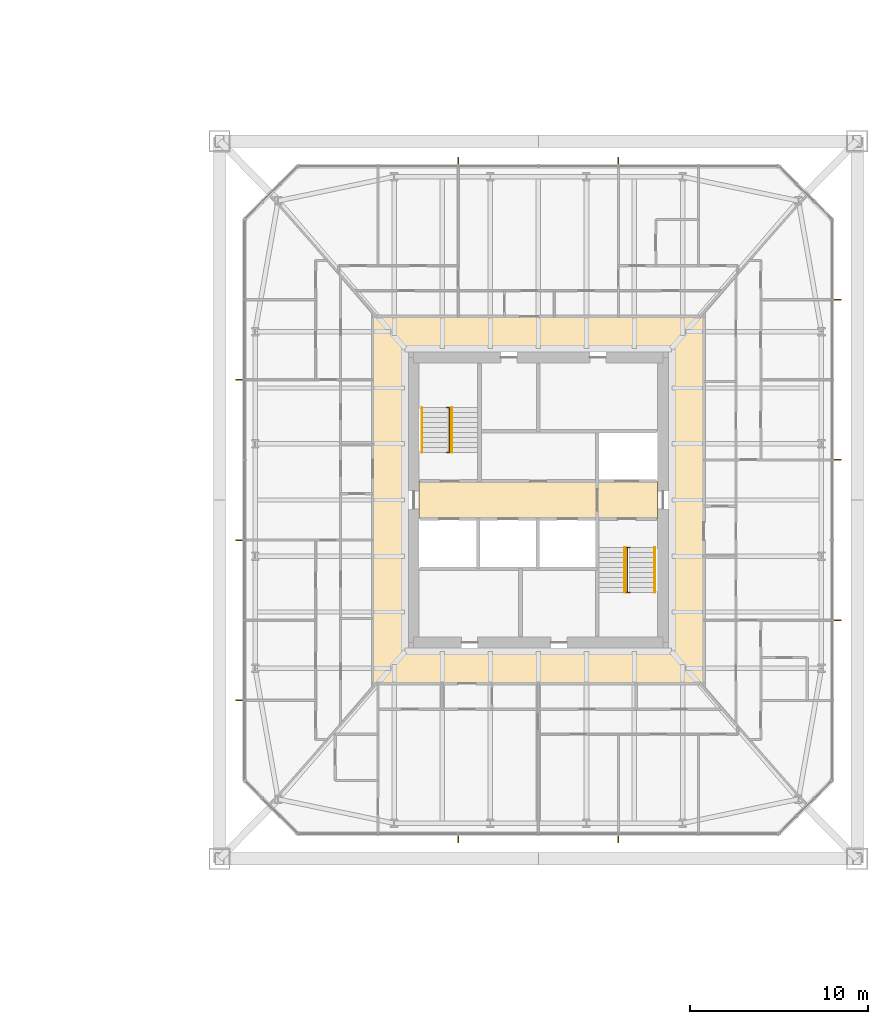
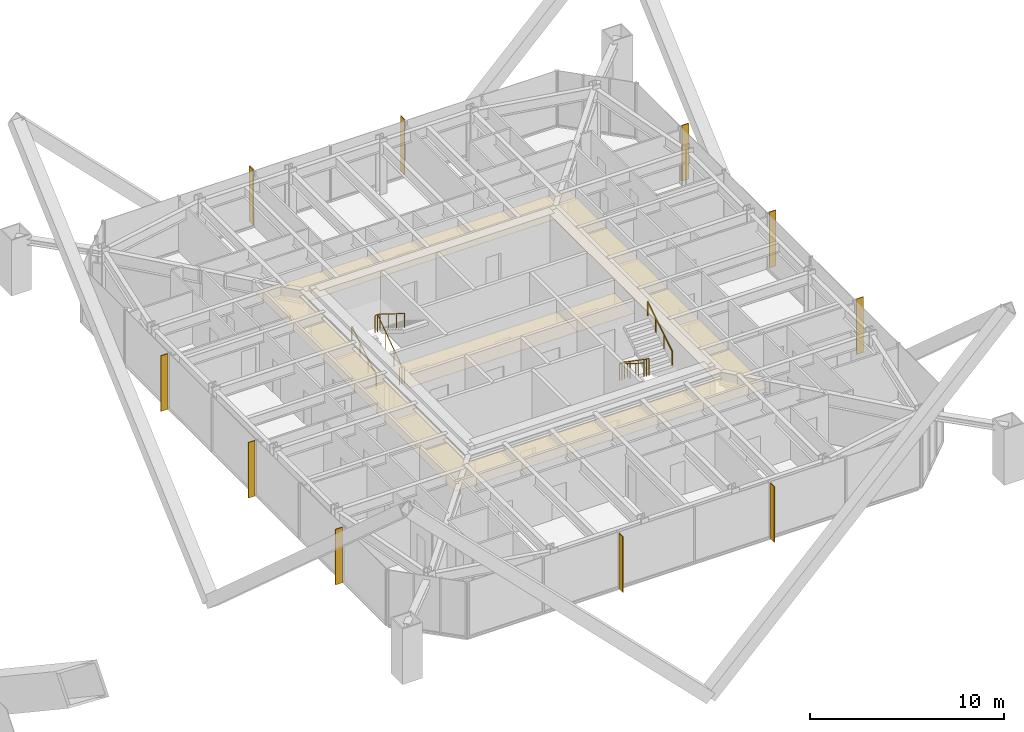
# One storey, part 27 of 27: 10 shading devices, 6 railings, 3 coverings.
"""IFC4 building model written with IfcOpenShell, lengths in metres."""

import ifcopenshell
import ifcopenshell.guid

model = None  # the IFC model being written
_history = None  # IfcOwnerHistory: only IFC2X3 demands one
_inside = {}  # id of a spatial element -> (the spatial element, [elements in it])
_under = {}  # id of a project, library or spatial element -> (it, [spatial elements below it])
_declared = {}  # id of a project -> (the project, [libraries it declares])
_typed = {}  # id of a type object -> (the type object, [elements of that type])
_made_of = {}  # id of a material, layer set ... -> (it, [elements and type objects made of it])


def new_model(schema):
    """Start an empty IFC model of exactly this schema.

    Asked for "IFC4X3", IfcOpenShell would pick the latest addendum, in which some entities
    have other attributes; the version numbers below select the first issue.
    IFC2X3 requires an IfcOwnerHistory on every rooted entity: one is made here for all.
    """
    global model, _history
    if schema == "IFC4X3":
        model = ifcopenshell.file(schema_version=(4, 3, 0, 0))
    else:
        model = ifcopenshell.file(schema=schema)
    _inside.clear()
    _under.clear()
    _declared.clear()
    _typed.clear()
    _made_of.clear()
    _history = None
    if model.schema == "IFC2X3":
        org = make("IfcOrganization", Name="unknown")
        user = make(
            "IfcPersonAndOrganization",
            ThePerson=make("IfcPerson", FamilyName="unknown"),
            TheOrganization=org,
        )
        app = make(
            "IfcApplication",
            ApplicationDeveloper=org,
            Version="unknown",
            ApplicationFullName="unknown",
            ApplicationIdentifier="unknown",
        )
        _history = make(
            "IfcOwnerHistory",
            OwningUser=user,
            OwningApplication=app,
            ChangeAction="ADDED",
            CreationDate=0,
        )
    return model


def make(cls, **values):
    """One entity of the class cls with the attributes given. An attribute that is None is left unset."""
    return model.create_entity(
        cls, **{name: value for name, value in values.items() if value is not None}
    )


def rooted(cls, **values):
    """An entity with a GlobalId (a new one), such as an element, a storey or a relation."""
    return make(cls, GlobalId=ifcopenshell.guid.new(), OwnerHistory=_history, **values)


def si_unit(unit_type, name, prefix=None):
    """IfcSIUnit, for example si_unit("LENGTHUNIT", "METRE", prefix="MILLI")."""
    return make("IfcSIUnit", UnitType=unit_type, Prefix=prefix, Name=name)


def assignment(units):
    """IfcUnitAssignment: the units of a project."""
    return None if units is None else make("IfcUnitAssignment", Units=units)


def point(xyz):
    """IfcCartesianPoint."""
    return None if xyz is None else make("IfcCartesianPoint", Coordinates=xyz)


def direction(xyz):
    """IfcDirection."""
    return None if xyz is None else make("IfcDirection", DirectionRatios=xyz)


def frame(location, z_axis=None, x_axis=None):
    """IfcAxis2Placement3D, a coordinate frame: its origin and axes. An axis left out is left unset."""
    return make(
        "IfcAxis2Placement3D",
        Location=point(location),
        Axis=direction(z_axis),
        RefDirection=direction(x_axis),
    )


def frame_2d(location, x_axis=None):
    """IfcAxis2Placement2D, a coordinate frame in the plane: its origin and x axis."""
    return make(
        "IfcAxis2Placement2D", Location=point(location), RefDirection=direction(x_axis)
    )


def origin():
    """The frame at (0, 0, 0) with its axes left unset."""
    return frame((0.0, 0.0, 0.0))


def origin_2d():
    """The frame at (0, 0) in the plane with its x axis left unset."""
    return frame_2d((0.0, 0.0))


def place(relative_to, where):
    """IfcLocalPlacement: puts the frame where relative to a parent placement (None: the world)."""
    return make(
        "IfcLocalPlacement", PlacementRelTo=relative_to, RelativePlacement=where
    )


def context(
    kind, dimensions, precision=None, world=None, true_north=None, identifier=None
):
    """IfcGeometricRepresentationContext, for example the 3D "Model" context."""
    return make(
        "IfcGeometricRepresentationContext",
        ContextIdentifier=identifier,
        ContextType=kind,
        CoordinateSpaceDimension=dimensions,
        Precision=precision,
        WorldCoordinateSystem=world,
        TrueNorth=true_north,
    )


def subcontext(parent, identifier, kind, view, scale=None):
    """IfcGeometricRepresentationSubContext, for example "Body" below "Model"."""
    return make(
        "IfcGeometricRepresentationSubContext",
        ContextIdentifier=identifier,
        ContextType=kind,
        ParentContext=parent,
        TargetScale=scale,
        TargetView=view,
    )


def project(units=None, contexts=None):
    """IfcProject with its units and contexts."""
    return rooted(
        "IfcProject",
        Name="project",
        RepresentationContexts=contexts,
        UnitsInContext=assignment(units),
    )


def spatial(cls, under=None, at=None, **own):
    """A site, building, storey or space (cls), placed at a placement, below another one or the project."""
    s = rooted(cls, ObjectPlacement=at, **own)
    if under is not None:
        _under.setdefault(under.id(), (under, []))[1].append(s)
    return s


def polyline(points):
    """IfcPolyline through the points."""
    return make("IfcPolyline", Points=[point(p) for p in points])


def profile(cls, at=None, kind="AREA", **sizes):
    """A parametric profile (cls). Its sizes go by their IFC names, for example OverallWidth=200.0."""
    return make(cls, ProfileType=kind, Position=at, **sizes)


def rectangle(**sizes):
    """IfcRectangleProfileDef."""
    return profile("IfcRectangleProfileDef", **sizes)


def circle(**sizes):
    """IfcCircleProfileDef."""
    return profile("IfcCircleProfileDef", **sizes)


def outline(outer, holes=None, kind="AREA"):
    """IfcArbitraryClosedProfileDef: a profile drawn as a closed curve; with holes, ...WithVoids."""
    if holes is None:
        return make("IfcArbitraryClosedProfileDef", ProfileType=kind, OuterCurve=outer)
    return make(
        "IfcArbitraryProfileDefWithVoids",
        ProfileType=kind,
        OuterCurve=outer,
        InnerCurves=holes,
    )


def extrude(swept, where, along, depth):
    """IfcExtrudedAreaSolid: the profile swept, set in the frame where, extruded along a direction by depth."""
    return make(
        "IfcExtrudedAreaSolid",
        SweptArea=swept,
        Position=where,
        ExtrudedDirection=direction(along),
        Depth=depth,
    )


def shape(context_of_items, identifier, shape_type, items):
    """IfcShapeRepresentation: the items that make up one representation, for example the "Body"."""
    return make(
        "IfcShapeRepresentation",
        ContextOfItems=context_of_items,
        RepresentationIdentifier=identifier,
        RepresentationType=shape_type,
        Items=items,
    )


def material(Name=None, Category=None):
    """IfcMaterial."""
    return make("IfcMaterial", Name=Name, Category=Category)


def layer(
    of_material, thickness, ventilated=None, Name=None, Category=None, Priority=None
):
    """IfcMaterialLayer: one layer of a wall or slab, of a material (None: an air gap)."""
    return make(
        "IfcMaterialLayer",
        Material=of_material,
        LayerThickness=thickness,
        IsVentilated=ventilated,
        Name=Name,
        Category=Category,
        Priority=Priority,
    )


def layer_set(layers, Name=None):
    """IfcMaterialLayerSet."""
    return make("IfcMaterialLayerSet", MaterialLayers=layers, LayerSetName=Name)


def constituent(of_material, Name=None, Category=None, fraction=None):
    """IfcMaterialConstituent: one of the materials an element consists of."""
    return make(
        "IfcMaterialConstituent",
        Name=Name,
        Material=of_material,
        Fraction=fraction,
        Category=Category,
    )


def constituent_set(constituents=None, Name=None):
    """IfcMaterialConstituentSet."""
    return make(
        "IfcMaterialConstituentSet", Name=Name, MaterialConstituents=constituents
    )


def made_of(thing, what):
    """Note that an element or type object is made of a material, layer set ...; save() writes the relation."""
    if what is not None:
        _made_of.setdefault(what.id(), (what, []))[1].append(thing)
    return thing


def type_object(cls, material=None, **own):
    """A type object (cls), such as IfcWallType, which elements share."""
    return made_of(rooted(cls, **own), material)


def element(
    cls,
    number,
    at=None,
    inside=None,
    cuts=None,
    type_object=None,
    material=None,
    context=None,
    identifier="Body",
    shape_type=None,
    held_by="IfcProductDefinitionShape",
    body=None,
    shapes=None,
    **own,
):
    """One element of the class cls, such as IfcWall. Its Tag is "e" and its number.

    at: its placement. inside: the storey or other place that contains it. cuts: it is an
    opening in that element (IfcRelVoidsElement). A single representation is given by context,
    identifier, shape_type and body (its items); several are given by shapes. held_by: the class
    of the entity that holds the representations. save() writes the other relations.
    """
    e = rooted(cls, Tag="e%d" % number, ObjectPlacement=at, **own)
    if body is not None:
        shapes = [shape(context, identifier, shape_type, body)]
    if shapes is not None:
        e.Representation = make(held_by, Representations=shapes)
    if inside is not None:
        _inside.setdefault(inside.id(), (inside, []))[1].append(e)
    if cuts is not None:
        rooted(
            "IfcRelVoidsElement", RelatingBuildingElement=cuts, RelatedOpeningElement=e
        )
    if type_object is not None:
        _typed.setdefault(type_object.id(), (type_object, []))[1].append(e)
    return made_of(e, material)


def aggregate(whole, parts):
    """IfcRelAggregates: a whole, such as a stair, and the parts it consists of."""
    return rooted("IfcRelAggregates", RelatingObject=whole, RelatedObjects=parts)


def save(model, path):
    """Write the relations noted so far, then the file.

    IfcRelAggregates (storeys below a building ...), IfcRelContainedInSpatialStructure (elements
    in a storey), IfcRelDefinesByType, IfcRelAssociatesMaterial and IfcRelDeclares: one each for
    every whole, place, type object, material and project.
    """
    for whole, parts in _under.values():
        aggregate(whole, parts)
    for where, things in _inside.values():
        rooted(
            "IfcRelContainedInSpatialStructure",
            RelatedElements=things,
            RelatingStructure=where,
        )
    for kind, things in _typed.values():
        rooted("IfcRelDefinesByType", RelatedObjects=things, RelatingType=kind)
    for what, things in _made_of.values():
        rooted("IfcRelAssociatesMaterial", RelatedObjects=things, RelatingMaterial=what)
    for by, libraries in _declared.values():
        rooted("IfcRelDeclares", RelatingContext=by, RelatedDefinitions=libraries)
    model.write(path)


model = new_model("IFC4")

# Units and contexts
model_context = context("Model", 3, precision=1e-05, world=origin(), true_north=direction((0.0, 1.0)))
body_context = subcontext(model_context, "Body", "Model", "MODEL_VIEW")
ifc_project = project(units=[si_unit("LENGTHUNIT", "METRE"), si_unit("AREAUNIT", "SQUARE_METRE"), si_unit("VOLUMEUNIT", "CUBIC_METRE"), si_unit("PLANEANGLEUNIT", "RADIAN"), si_unit("MASSUNIT", "GRAM", prefix="KILO")], contexts=[model_context])

# Site, building, storey
site_placement = place(None, origin())
site = spatial("IfcSite", under=ifc_project, at=site_placement, CompositionType="ELEMENT")
building_placement = place(site_placement, origin())
building = spatial("IfcBuilding", under=site, at=building_placement, Name="Iwan Alto Co-Living Towers", CompositionType="ELEMENT")
storey_placement = place(building_placement, frame((0.0, 0.0, 25.5)))
storey = spatial("IfcBuildingStorey", under=building, at=storey_placement, Name="L06", CompositionType="ELEMENT", Elevation=25.5)

# Coverings
ifc_material_1 = material(Name="Mineral fibre acoustic tiles on steel grid", Category="steel")
ifc_layer_1 = layer(ifc_material_1, 0.02001953125)
ifc_layer_set_1 = layer_set([ifc_layer_1], Name="ACOUSTIC TILE CEILING 20")
covering_type_1 = type_object("IfcCoveringType", Name="ACOUSTIC TILE CEILING 20", PredefinedType="CEILING", material=ifc_layer_set_1)
covering_1_placement = place(storey_placement, frame((0.0, 0.0, 2.60009765625)))
element("IfcCovering", 1, at=covering_1_placement, inside=storey, type_object=covering_type_1, Name="Ceiling Lift lobby L06", PredefinedType="CEILING", context=body_context, shape_type="SweptSolid", body=[
    extrude(outline(polyline([(56.300048828125, -1.050048828125), (56.300048828125, 1.050048828125), (66.300048828125, 1.050048828125), (66.300048828125, -1.050048828125), (56.300048828125, -1.050048828125)])), origin(), (0.0, 0.0, 1.0), 0.02001953125),
])
covering_2_placement = place(storey_placement, frame((0.0, 0.0, 2.60009765625)))
element("IfcCovering", 2, at=covering_2_placement, inside=storey, type_object=covering_type_1, Name="Ceiling Firefighting lobby L06", PredefinedType="CEILING", context=body_context, shape_type="SweptSolid", body=[
    extrude(outline(polyline([(66.300048828125, -1.050048828125), (66.300048828125, 1.050048828125), (69.699951171875, 1.050048828125), (69.699951171875, -1.050048828125), (66.300048828125, -1.050048828125)])), origin(), (0.0, 0.0, 1.0), 0.02001953125),
])

# Shading devices
ifc_material_2 = material(Name="Aluminium 6063-T6 bronze anodised", Category="aluminium")
ifc_layer_2 = layer(ifc_material_2, 0.050048828125)
ifc_layer_set_2 = layer_set([ifc_layer_2], Name="BRONZE FIN 50X400")
shading_device_type = type_object("IfcShadingDeviceType", Name="BRONZE FIN 50X400", PredefinedType="USERDEFINED", material=ifc_layer_set_2)
for number, where, z_axis, x_axis, name in (
    (3, (58.5, -19.050048828125, 0.0), (0.0, 0.0, 1.0), (1.0, 0.0, 0.0), "Bronze fin L06"),
    (4, (67.5, -19.050048828125, 0.0), (0.0, 0.0, 1.0), (1.0, 0.0, 0.0), "Bronze fin L06"),
    (5, (79.800048828125, -6.75, 0.0), (0.0, 0.0, 1.0), (0.0, 1.0, 0.0), "Bronze fin L06"),
    (6, (79.800048828125, 2.25, 0.0), (0.0, 0.0, 1.0), (0.0, 1.0, 0.0), "Bronze fin L06"),
    (7, (79.800048828125, 11.25, 0.0), (0.0, 0.0, 1.0), (0.0, 1.0, 0.0), "Bronze fin L06"),
    (8, (67.5, 19.050048828125, 0.0), (0.0, 0.0, 1.0), (-1.0, 0.0, 0.0), "Bronze fin L06"),
    (9, (58.5, 19.050048828125, 0.0), (0.0, 0.0, 1.0), (-1.0, 0.0, 0.0), "Bronze fin L06"),
    (10, (46.199951171875, 6.75, 0.0), (0.0, 0.0, 1.0), (0.0, -1.0, 0.0), "Bronze fin L06"),
    (11, (46.199951171875, -2.25, 0.0), (0.0, 0.0, 1.0), (0.0, -1.0, 0.0), "Bronze fin L06"),
    (12, (46.199951171875, -11.25, 0.0), (0.0, 0.0, 1.0), (0.0, -1.0, 0.0), "Bronze fin L06"),
):
    element("IfcShadingDevice", number, at=place(storey_placement, frame(where, z_axis=z_axis, x_axis=x_axis)), inside=storey, type_object=shading_device_type, Name=name, ObjectType="LOUVER", PredefinedType="USERDEFINED", context=body_context, shape_type="SweptSolid", body=[
        extrude(rectangle(XDim=0.050048828125, YDim=0.39990234375, at=origin_2d()), origin(), (0.0, 0.0, 1.0), 3.5),
    ])

# Railings
ifc_material_3 = material(Name="Steel ASTM A500 Gr C", Category="steel")
ifc_constituent_1 = constituent(ifc_material_3, Name="Rails and posts", Category="Framing")
ifc_material_4 = material(Name="Steel ASTM A36", Category="steel")
ifc_constituent_2 = constituent(ifc_material_4, Name="Bar infill", Category="Infill")
ifc_constituent_set = constituent_set(constituents=[ifc_constituent_1, ifc_constituent_2], Name="STAIR GUARD 1100")
railing_type_1 = type_object("IfcRailingType", Name="STAIR GUARD 1100", PredefinedType="GUARDRAIL", material=ifc_constituent_set)
railing_1_placement = place(storey_placement, frame((58.0, 2.669921875, 0.0)))
element("IfcRailing", 13, at=railing_1_placement, inside=storey, type_object=railing_type_1, Name="Stair T2-S1 well guard L06", PredefinedType="GUARDRAIL", context=body_context, shape_type="SweptSolid", body=[
    extrude(circle(Radius=0.02392578125, at=origin_2d()), frame((0.0, 0.0, 1.076171875), z_axis=(0.0, 0.821372036852, 0.570392826987), x_axis=(-1.0, 0.0, 0.0)), (0.0, 0.0, 1.0), 3.068115234375),
    extrude(circle(Radius=0.02392578125, at=origin_2d()), frame((-0.14990234375, 0.0, 1.076171875), z_axis=(1.0, 0.0, 0.0), x_axis=(0.0, 1.0, 0.0)), (0.0, 0.0, 1.0), 0.2998046875),
    extrude(circle(Radius=0.02392578125, at=origin_2d()), frame((-0.14990234375, 2.52001953125, 2.826171875), z_axis=(1.0, 0.0, 0.0), x_axis=(0.0, 1.0, 0.0)), (0.0, 0.0, 1.0), 0.2998046875),
    extrude(circle(Radius=0.02099609375, at=origin_2d()), origin(), (0.0, 0.0, 1.0), 1.052001953125),
    extrude(circle(Radius=0.02099609375, at=origin_2d()), frame((0.0, 0.840087890625, 0.583251953125)), (0.0, 0.0, 1.0), 1.052001953125),
    extrude(circle(Radius=0.02099609375, at=origin_2d()), frame((0.0, 1.679931640625, 1.166748046875)), (0.0, 0.0, 1.0), 1.052001953125),
    extrude(circle(Radius=0.02099609375, at=origin_2d()), frame((0.0, 2.52001953125, 1.75)), (0.0, 0.0, 1.0), 1.052001953125),
    extrude(circle(Radius=0.02099609375, at=origin_2d()), frame((-0.14990234375, 0.0, 0.0)), (0.0, 0.0, 1.0), 1.052001953125),
    extrude(circle(Radius=0.02099609375, at=origin_2d()), frame((0.14990234375, 0.0, 0.0)), (0.0, 0.0, 1.0), 1.052001953125),
    extrude(circle(Radius=0.02099609375, at=origin_2d()), frame((-0.14990234375, 2.52001953125, 1.75)), (0.0, 0.0, 1.0), 1.052001953125),
    extrude(circle(Radius=0.02099609375, at=origin_2d()), frame((0.14990234375, 2.52001953125, 1.75)), (0.0, 0.0, 1.0), 1.052001953125),
])
railing_2_placement = place(storey_placement, frame((68.0, -2.669921875, 0.0)))
element("IfcRailing", 14, at=railing_2_placement, inside=storey, type_object=railing_type_1, Name="Stair T2-S2 well guard L06", PredefinedType="GUARDRAIL", context=body_context, shape_type="SweptSolid", body=[
    extrude(circle(Radius=0.02392578125, at=origin_2d()), frame((0.0, 0.0, 1.076171875), z_axis=(0.0, -0.821372036852, 0.570392826987), x_axis=(1.0, 0.0, 0.0)), (0.0, 0.0, 1.0), 3.068115234375),
    extrude(circle(Radius=0.02392578125, at=origin_2d()), frame((-0.14990234375, 0.0, 1.076171875), z_axis=(1.0, 0.0, 0.0), x_axis=(0.0, 1.0, 0.0)), (0.0, 0.0, 1.0), 0.2998046875),
    extrude(circle(Radius=0.02392578125, at=origin_2d()), frame((-0.14990234375, -2.52001953125, 2.826171875), z_axis=(1.0, 0.0, 0.0), x_axis=(0.0, 1.0, 0.0)), (0.0, 0.0, 1.0), 0.2998046875),
    extrude(circle(Radius=0.02099609375, at=origin_2d()), origin(), (0.0, 0.0, 1.0), 1.052001953125),
    extrude(circle(Radius=0.02099609375, at=origin_2d()), frame((0.0, -0.840087890625, 0.583251953125)), (0.0, 0.0, 1.0), 1.052001953125),
    extrude(circle(Radius=0.02099609375, at=origin_2d()), frame((0.0, -1.679931640625, 1.166748046875)), (0.0, 0.0, 1.0), 1.052001953125),
    extrude(circle(Radius=0.02099609375, at=origin_2d()), frame((0.0, -2.52001953125, 1.75)), (0.0, 0.0, 1.0), 1.052001953125),
    extrude(circle(Radius=0.02099609375, at=origin_2d()), frame((-0.14990234375, 0.0, 0.0)), (0.0, 0.0, 1.0), 1.052001953125),
    extrude(circle(Radius=0.02099609375, at=origin_2d()), frame((0.14990234375, 0.0, 0.0)), (0.0, 0.0, 1.0), 1.052001953125),
    extrude(circle(Radius=0.02099609375, at=origin_2d()), frame((-0.14990234375, -2.52001953125, 1.75)), (0.0, 0.0, 1.0), 1.052001953125),
    extrude(circle(Radius=0.02099609375, at=origin_2d()), frame((0.14990234375, -2.52001953125, 1.75)), (0.0, 0.0, 1.0), 1.052001953125),
])
ifc_material_5 = material(Name="Steel ASTM A500 Gr C", Category="steel")
railing_type_2 = type_object("IfcRailingType", Name="STAIR HANDRAIL 900", PredefinedType="HANDRAIL", material=ifc_material_5)
railing_3_placement = place(storey_placement, frame((56.469970703125, 2.669921875, 0.175048828125)))
element("IfcRailing", 15, at=railing_3_placement, inside=storey, type_object=railing_type_2, Name="Stair T2-S1 handrail 1 L06", PredefinedType="HANDRAIL", context=body_context, shape_type="SweptSolid", body=[
    extrude(circle(Radius=0.02392578125, at=origin_2d()), frame((0.0, 0.0, 0.8759765625), z_axis=(0.0, 0.848007534815, 0.529984170421), x_axis=(-1.0, 0.0, 0.0)), (0.0, 0.0, 1.0), 2.9716796875),
    extrude(circle(Radius=0.02099609375, at=origin_2d()), origin(), (0.0, 0.0, 1.0), 0.851806640625),
    extrude(circle(Radius=0.02099609375, at=origin_2d()), frame((0.0, 0.840087890625, 0.52490234375)), (0.0, 0.0, 1.0), 0.851806640625),
    extrude(circle(Radius=0.02099609375, at=origin_2d()), frame((0.0, 1.679931640625, 1.050048828125)), (0.0, 0.0, 1.0), 0.851806640625),
    extrude(circle(Radius=0.02099609375, at=origin_2d()), frame((0.0, 2.52001953125, 1.574951171875)), (0.0, 0.0, 1.0), 0.851806640625),
])
for number, where, name in (
    (16, (58.14990234375, 5.18994140625, 1.925048828125), "Stair T2-S1 handrail 2 L06"),
    (17, (67.85009765625, -2.669921875, 0.175048828125), "Stair T2-S2 handrail 1 L06"),
):
    element("IfcRailing", number, at=place(storey_placement, frame(where)), inside=storey, type_object=railing_type_2, Name=name, PredefinedType="HANDRAIL", context=body_context, shape_type="SweptSolid", body=[
        extrude(circle(Radius=0.02392578125, at=origin_2d()), frame((0.0, 0.0, 0.8759765625), z_axis=(0.0, -0.848007534815, 0.529984170421), x_axis=(1.0, 0.0, 0.0)), (0.0, 0.0, 1.0), 2.9716796875),
        extrude(circle(Radius=0.02099609375, at=origin_2d()), origin(), (0.0, 0.0, 1.0), 0.851806640625),
        extrude(circle(Radius=0.02099609375, at=origin_2d()), frame((0.0, -0.840087890625, 0.52490234375)), (0.0, 0.0, 1.0), 0.851806640625),
        extrude(circle(Radius=0.02099609375, at=origin_2d()), frame((0.0, -1.679931640625, 1.050048828125)), (0.0, 0.0, 1.0), 0.851806640625),
        extrude(circle(Radius=0.02099609375, at=origin_2d()), frame((0.0, -2.52001953125, 1.574951171875)), (0.0, 0.0, 1.0), 0.851806640625),
    ])
railing_4_placement = place(storey_placement, frame((69.530029296875, -5.18994140625, 1.925048828125)))
element("IfcRailing", 18, at=railing_4_placement, inside=storey, type_object=railing_type_2, Name="Stair T2-S2 handrail 2 L06", PredefinedType="HANDRAIL", context=body_context, shape_type="SweptSolid", body=[
    extrude(circle(Radius=0.02392578125, at=origin_2d()), frame((0.0, 0.0, 0.8759765625), z_axis=(0.0, 0.848007534815, 0.529984170421), x_axis=(-1.0, 0.0, 0.0)), (0.0, 0.0, 1.0), 2.9716796875),
    extrude(circle(Radius=0.02099609375, at=origin_2d()), origin(), (0.0, 0.0, 1.0), 0.851806640625),
    extrude(circle(Radius=0.02099609375, at=origin_2d()), frame((0.0, 0.840087890625, 0.52490234375)), (0.0, 0.0, 1.0), 0.851806640625),
    extrude(circle(Radius=0.02099609375, at=origin_2d()), frame((0.0, 1.679931640625, 1.050048828125)), (0.0, 0.0, 1.0), 0.851806640625),
    extrude(circle(Radius=0.02099609375, at=origin_2d()), frame((0.0, 2.52001953125, 1.574951171875)), (0.0, 0.0, 1.0), 0.851806640625),
])

# Covering
ifc_material_6 = material(Name="Gypsum plasterboard on steel grid", Category="steel")
ifc_layer_3 = layer(ifc_material_6, 0.014892578125)
ifc_layer_set_3 = layer_set([ifc_layer_3], Name="SUSPENDED PLASTERBOARD CEILING 15")
covering_type_2 = type_object("IfcCoveringType", Name="SUSPENDED PLASTERBOARD CEILING 15", PredefinedType="CEILING", material=ifc_layer_set_3)
covering_3_placement = place(storey_placement, frame((0.0, 0.0, 2.60009765625)))
element("IfcCovering", 19, at=covering_3_placement, inside=storey, type_object=covering_type_2, Name="Ceiling Corridor L06", PredefinedType="CEILING", context=body_context, shape_type="SweptSolid", body=[
    extrude(outline(polyline([(53.699951171875, 10.300048828125), (72.300048828125, 10.300048828125), (72.300048828125, -10.300048828125), (53.699951171875, -10.300048828125), (53.699951171875, 10.300048828125)]), holes=[polyline([(55.699951171875, 8.300048828125), (55.699951171875, -8.300048828125), (70.300048828125, -8.300048828125), (70.300048828125, 8.300048828125), (55.699951171875, 8.300048828125)])]), origin(), (0.0, 0.0, 1.0), 0.014892578125),
])

save(model, "model.ifc")
